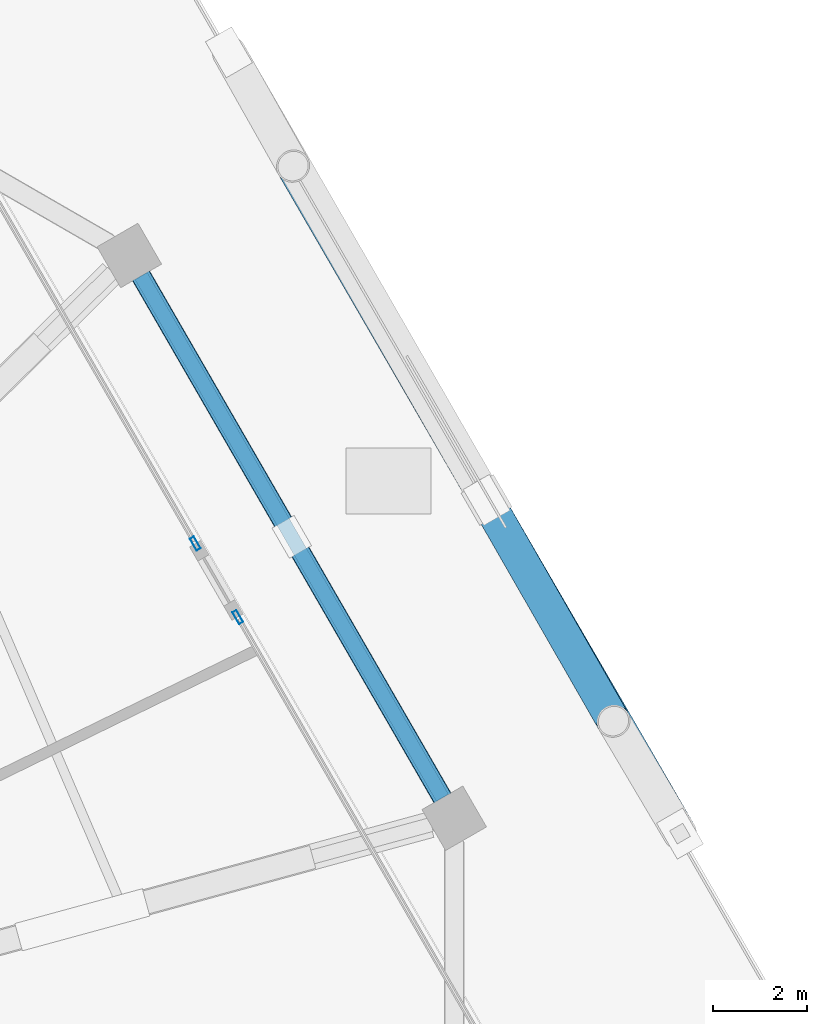
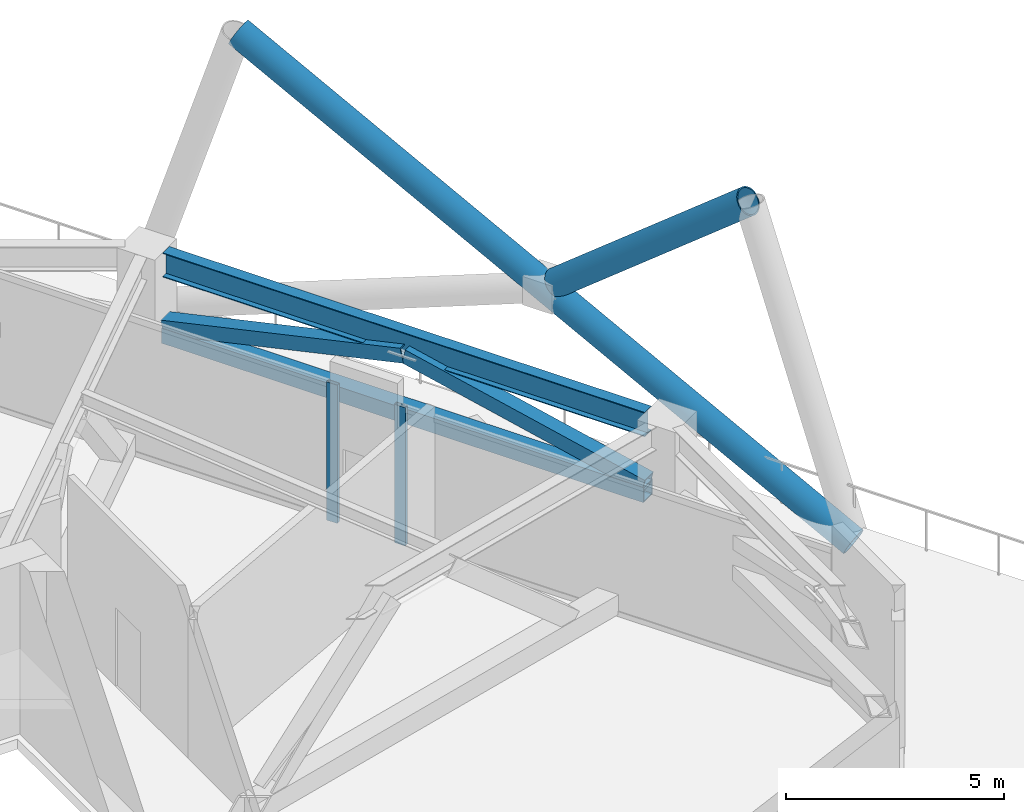
# One storey, part 10 of 20: 7 members, 1 beam, 2 elements without a shape of their own.
"""IFC4 building model written with IfcOpenShell, lengths in metres."""

from ifc_helpers import new_model, si_unit, direction, frame, origin, origin_2d, place, context, subcontext, project, spatial, hollow_rectangle, hollow_circle, i_section, extrude, material, material_profile, profile_set, type_object, element, aggregate, save


model = new_model("IFC4")

# Units and contexts
model_context = context("Model", 3, precision=1e-05, world=origin(), true_north=direction((0.0, 1.0)))
body_context = subcontext(model_context, "Body", "Model", "MODEL_VIEW")
ifc_project = project(units=[si_unit("LENGTHUNIT", "METRE"), si_unit("AREAUNIT", "SQUARE_METRE"), si_unit("VOLUMEUNIT", "CUBIC_METRE"), si_unit("PLANEANGLEUNIT", "RADIAN"), si_unit("MASSUNIT", "GRAM", prefix="KILO")], contexts=[model_context])

# Site, building, storey
site_placement = place(None, origin())
site = spatial("IfcSite", under=ifc_project, at=site_placement, CompositionType="ELEMENT")
building_placement = place(site_placement, origin())
building = spatial("IfcBuilding", under=site, at=building_placement, Name="Zuhravey Tower", CompositionType="ELEMENT")
storey_placement = place(building_placement, frame((0.0, 0.0, 145.60009765625)))
storey = spatial("IfcBuildingStorey", under=building, at=storey_placement, Name="L36", CompositionType="ELEMENT", Elevation=145.60009765625)

# Members
ifc_material_1 = material(Name="Steel SM355", Category="steel")
ifc_material_profile_1 = material_profile(ifc_material_1, hollow_rectangle(XDim=0.419921875, YDim=0.419921875, WallThickness=0.028076171875, at=origin_2d()), Name="RHS-420x420x28")
ifc_profile_set_1 = profile_set([ifc_material_profile_1], Name="Steel SM355")
member_type_1 = type_object("IfcMemberType", Name="Belt Truss Chord RHS420x420", PredefinedType="CHORD", material=ifc_profile_set_1)
member_1_placement = place(storey_placement, frame((61.85498046875, 39.563720703125, 2.27001953125), z_axis=(-0.499984807588, 0.86603417495, 0.0), x_axis=(-0.86603417495, -0.499984807588, 0.0)))
element("IfcMember", 1, at=member_1_placement, inside=storey, type_object=member_type_1, Name="L36 Belt Truss Bottom Chord BTC1-01", PredefinedType="CHORD", context=body_context, shape_type="SweptSolid", body=[
    extrude(hollow_rectangle(XDim=0.419921875, YDim=0.419921875, WallThickness=0.028076171875, at=origin_2d()), origin(), (0.0, 0.0, 1.0), 12.75439453125),
])
ifc_material_profile_2 = material_profile(ifc_material_1, hollow_rectangle(XDim=0.39990234375, YDim=0.39990234375, WallThickness=0.02490234375, at=origin_2d()), Name="RHS-400x400x25")
ifc_profile_set_2 = profile_set([ifc_material_profile_2], Name="Steel SM355")
member_type_2 = type_object("IfcMemberType", Name="Belt Truss Diagonal RHS400x400", PredefinedType="BRACE", material=ifc_profile_set_2)
member_2_placement = place(storey_placement, frame((61.847900390625, 39.576416015625, 2.4931640625), z_axis=(-0.487733697304, 0.844751307024, 0.220252286696), x_axis=(-0.866018166656, -0.500012534865, 0.0)))
element("IfcMember", 2, at=member_2_placement, inside=storey, type_object=member_type_2, Name="L36 Belt Truss Diagonal BTD1-01.1", PredefinedType="BRACE", context=body_context, shape_type="SweptSolid", body=[
    extrude(hollow_rectangle(XDim=0.39990234375, YDim=0.39990234375, WallThickness=0.02490234375, at=origin_2d()), origin(), (0.0, 0.0, 1.0), 6.497802734375),
])
member_3_placement = place(storey_placement, frame((55.4853515625, 50.5966796875, 2.4931640625), z_axis=(0.487705061621, -0.844766787399, 0.220256322899), x_axis=(0.866034845904, 0.499983645413, 0.0)))
element("IfcMember", 3, at=member_3_placement, inside=storey, type_object=member_type_2, Name="L36 Belt Truss Diagonal BTD1-01.2", PredefinedType="BRACE", context=body_context, shape_type="SweptSolid", body=[
    extrude(hollow_rectangle(XDim=0.39990234375, YDim=0.39990234375, WallThickness=0.02490234375, at=origin_2d()), origin(), (0.0, 0.0, 1.0), 6.49755859375),
])
ifc_material_2 = material(Name="Steel SM460", Category="steel")
ifc_material_profile_3 = material_profile(ifc_material_2, hollow_circle(Radius=0.355712890625, WallThickness=0.031982421875, at=origin_2d()), Name="CHS-711.2x32")
ifc_profile_set_3 = profile_set([ifc_material_profile_3], Name="Steel SM460")
member_type_3 = type_object("IfcMemberType", Name="Exoskeleton Zone 2 Diagrid CHS711x32", PredefinedType="BRACE", material=ifc_profile_set_3)
member_4_placement = place(storey_placement, frame((66.871826171875, 38.83447265625, -0.47412109375), z_axis=(-0.44350519655, 0.764925986016, 0.467109598007), x_axis=(-0.865105726436, -0.5015895554, 0.0)))
element("IfcMember", 4, at=member_4_placement, inside=storey, type_object=member_type_3, Name="L36 Face 1 Diagrid Brace 2", PredefinedType="BRACE", context=body_context, shape_type="SweptSolid", body=[
    extrude(hollow_circle(Radius=0.355712890625, WallThickness=0.031982421875, at=origin_2d()), origin(), (0.0, 0.0, 1.0), 18.389892578125),
])
member_5_placement = place(storey_placement, frame((62.927978515625, 45.6337890625, 4.03662109375), z_axis=(0.388568802365, -0.677336538972, 0.624683518914), x_axis=(0.867403757088, 0.497604986098, 0.0)))
element("IfcMember", 5, at=member_5_placement, inside=storey, type_object=member_type_3, Name="L36 Face 1 Split Diagrid Brace 3B", PredefinedType="BRACE", context=body_context, shape_type="SweptSolid", body=[
    extrude(hollow_circle(Radius=0.355712890625, WallThickness=0.031982421875, at=origin_2d()), origin(), (0.0, 0.0, 1.0), 6.519287109375),
])

# Curtain wall, member
ifc_material_3 = material(Name="Thermally broken anodised aluminium", Category="aluminium")
curtain_wall_type = type_object("IfcCurtainWallType", Name="Sky-Garden Tray Clerestory Curtain Wall CW5", PredefinedType="NOTDEFINED", material=ifc_material_3)
curtain_wall_1_placement = place(storey_placement, origin())
curtain_wall_1 = element("IfcCurtainWall", 6, at=curtain_wall_1_placement, inside=storey, type_object=curtain_wall_type, Name="L36 CW5 CW-L36-F1-1", PredefinedType="NOTDEFINED")
ifc_material_4 = material(Name="Anodised aluminium", Category="aluminium")
ifc_material_profile_4 = material_profile(ifc_material_4, hollow_rectangle(XDim=0.10009765625, YDim=0.2900390625, WallThickness=0.006103515625, at=origin_2d()), Name="ALU-RHS-100x290x6")
ifc_profile_set_4 = profile_set([ifc_material_profile_4], Name="Anodised aluminium")
member_type_4 = type_object("IfcMemberType", Name="Heavy Tall-Storey Mullion 100x220", PredefinedType="MULLION", material=ifc_profile_set_4)
member_6_placement = place(storey_placement, frame((56.623046875, 44.946044921875, 0.0), z_axis=(0.0, 0.0, 1.0), x_axis=(0.866026835431, 0.499997520307, 0.0)))
member_6 = element("IfcMember", 7, at=member_6_placement, type_object=member_type_4, Name="CW5 mullion 2", PredefinedType="MULLION", context=body_context, shape_type="SweptSolid", body=[
    extrude(hollow_rectangle(XDim=0.10009765625, YDim=0.2900390625, WallThickness=0.006103515625, at=origin_2d()), origin(), (0.0, 0.0, 1.0), 3.869873046875),
])
aggregate(curtain_wall_1, [member_6])

curtain_wall_2_placement = place(storey_placement, origin())
curtain_wall_2 = element("IfcCurtainWall", 8, at=curtain_wall_2_placement, inside=storey, type_object=curtain_wall_type, Name="L36 CW5 CW-L36-F1-2", PredefinedType="NOTDEFINED")
member_7_placement = place(storey_placement, frame((57.52294921875, 43.38720703125, 0.0), z_axis=(0.0, 0.0, 1.0), x_axis=(0.866023119942, 0.50000395571, 0.0)))
member_7 = element("IfcMember", 9, at=member_7_placement, type_object=member_type_4, Name="CW5 mullion 1", PredefinedType="MULLION", context=body_context, shape_type="SweptSolid", body=[
    extrude(hollow_rectangle(XDim=0.10009765625, YDim=0.2900390625, WallThickness=0.006103515625, at=origin_2d()), origin(), (0.0, 0.0, 1.0), 3.869873046875),
])
aggregate(curtain_wall_2, [member_7])

# Beam
ifc_material_profile_5 = material_profile(ifc_material_1, i_section(OverallWidth=0.300048828125, OverallDepth=0.679931640625, WebThickness=0.012939453125, FlangeThickness=0.02197265625, at=origin_2d()), Name="H-680x300x13x22")
ifc_profile_set_5 = profile_set([ifc_material_profile_5], Name="Steel SM355")
beam_type = type_object("IfcBeamType", Name="Perimeter Ring Beam H680x300", PredefinedType="BEAM", material=ifc_profile_set_5)
beam_placement = place(storey_placement, frame((61.856201171875, 39.56201171875, 4.2099609375), z_axis=(-0.499997974489, 0.866026573211, 0.0), x_axis=(-0.866026573211, -0.499997974489, 0.0)))
element("IfcBeam", 10, at=beam_placement, inside=storey, type_object=beam_type, Name="L36 PB2 BM-L36-PB-01", PredefinedType="BEAM", context=body_context, shape_type="SweptSolid", body=[
    extrude(i_section(OverallWidth=0.300048828125, OverallDepth=0.679931640625, WebThickness=0.012939453125, FlangeThickness=0.02197265625, at=origin_2d()), origin(), (0.0, 0.0, 1.0), 12.75830078125),
])

save(model, "model.ifc")
